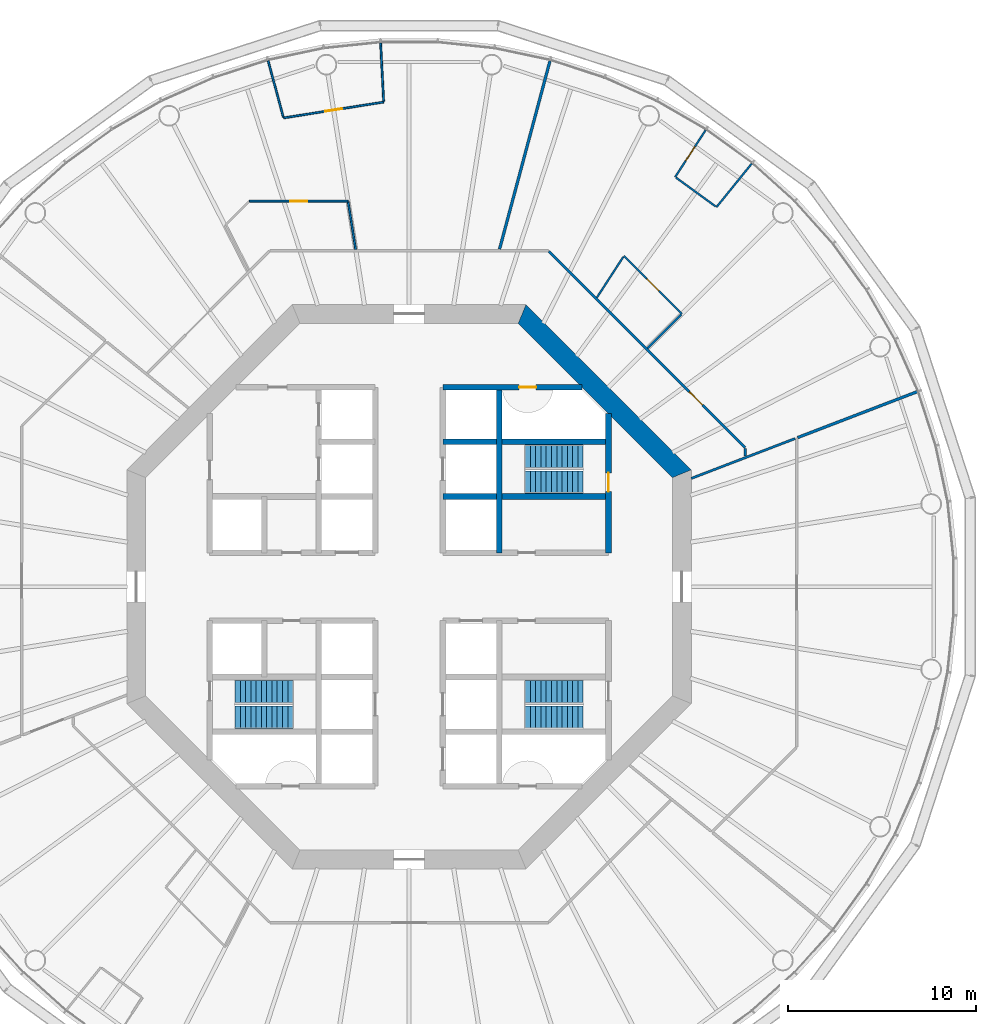
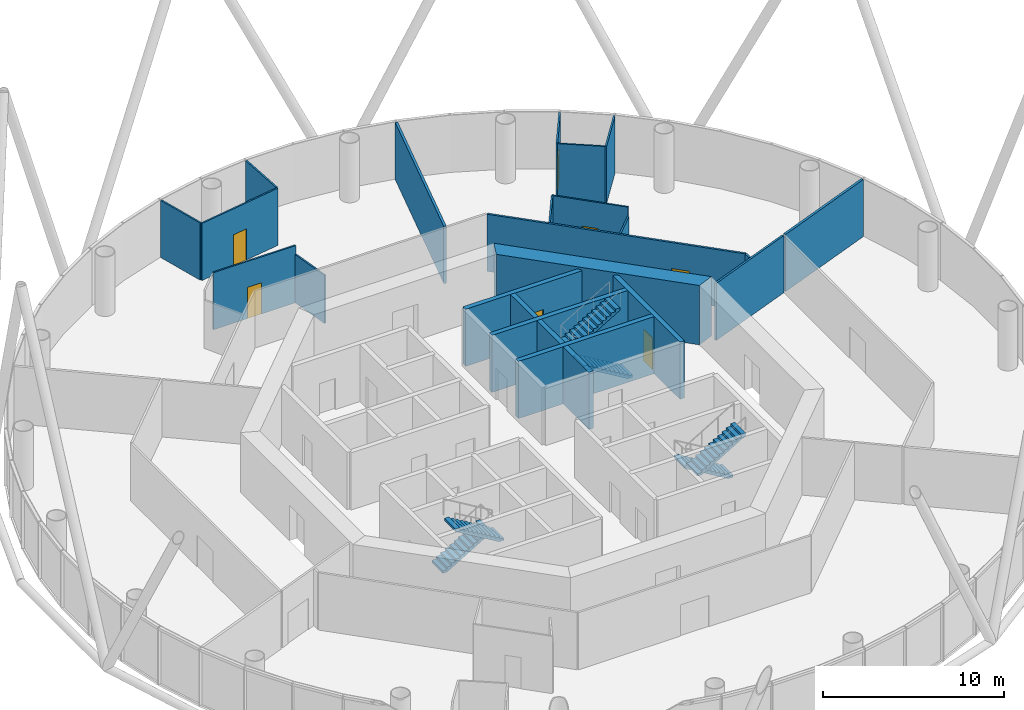
# One storey, part 5 of 12: 22 walls, 7 doors, 6 stair flights, 7 openings, 3 elements without a shape of their own.
"""IFC4 building model written with IfcOpenShell, lengths in metres."""

import ifcopenshell
import ifcopenshell.guid

model = None  # the IFC model being written
_history = None  # IfcOwnerHistory: only IFC2X3 demands one
_inside = {}  # id of a spatial element -> (the spatial element, [elements in it])
_under = {}  # id of a project, library or spatial element -> (it, [spatial elements below it])
_declared = {}  # id of a project -> (the project, [libraries it declares])
_typed = {}  # id of a type object -> (the type object, [elements of that type])
_made_of = {}  # id of a material, layer set ... -> (it, [elements and type objects made of it])


def new_model(schema):
    """Start an empty IFC model of exactly this schema.

    Asked for "IFC4X3", IfcOpenShell would pick the latest addendum, in which some entities
    have other attributes; the version numbers below select the first issue.
    IFC2X3 requires an IfcOwnerHistory on every rooted entity: one is made here for all.
    """
    global model, _history
    if schema == "IFC4X3":
        model = ifcopenshell.file(schema_version=(4, 3, 0, 0))
    else:
        model = ifcopenshell.file(schema=schema)
    _inside.clear()
    _under.clear()
    _declared.clear()
    _typed.clear()
    _made_of.clear()
    _history = None
    if model.schema == "IFC2X3":
        org = make("IfcOrganization", Name="unknown")
        user = make(
            "IfcPersonAndOrganization",
            ThePerson=make("IfcPerson", FamilyName="unknown"),
            TheOrganization=org,
        )
        app = make(
            "IfcApplication",
            ApplicationDeveloper=org,
            Version="unknown",
            ApplicationFullName="unknown",
            ApplicationIdentifier="unknown",
        )
        _history = make(
            "IfcOwnerHistory",
            OwningUser=user,
            OwningApplication=app,
            ChangeAction="ADDED",
            CreationDate=0,
        )
    return model


def make(cls, **values):
    """One entity of the class cls with the attributes given. An attribute that is None is left unset."""
    return model.create_entity(
        cls, **{name: value for name, value in values.items() if value is not None}
    )


def rooted(cls, **values):
    """An entity with a GlobalId (a new one), such as an element, a storey or a relation."""
    return make(cls, GlobalId=ifcopenshell.guid.new(), OwnerHistory=_history, **values)


def si_unit(unit_type, name, prefix=None):
    """IfcSIUnit, for example si_unit("LENGTHUNIT", "METRE", prefix="MILLI")."""
    return make("IfcSIUnit", UnitType=unit_type, Prefix=prefix, Name=name)


def assignment(units):
    """IfcUnitAssignment: the units of a project."""
    return None if units is None else make("IfcUnitAssignment", Units=units)


def point(xyz):
    """IfcCartesianPoint."""
    return None if xyz is None else make("IfcCartesianPoint", Coordinates=xyz)


def direction(xyz):
    """IfcDirection."""
    return None if xyz is None else make("IfcDirection", DirectionRatios=xyz)


def frame(location, z_axis=None, x_axis=None):
    """IfcAxis2Placement3D, a coordinate frame: its origin and axes. An axis left out is left unset."""
    return make(
        "IfcAxis2Placement3D",
        Location=point(location),
        Axis=direction(z_axis),
        RefDirection=direction(x_axis),
    )


def frame_2d(location, x_axis=None):
    """IfcAxis2Placement2D, a coordinate frame in the plane: its origin and x axis."""
    return make(
        "IfcAxis2Placement2D", Location=point(location), RefDirection=direction(x_axis)
    )


def origin():
    """The frame at (0, 0, 0) with its axes left unset."""
    return frame((0.0, 0.0, 0.0))


def place(relative_to, where):
    """IfcLocalPlacement: puts the frame where relative to a parent placement (None: the world)."""
    return make(
        "IfcLocalPlacement", PlacementRelTo=relative_to, RelativePlacement=where
    )


def context(
    kind, dimensions, precision=None, world=None, true_north=None, identifier=None
):
    """IfcGeometricRepresentationContext, for example the 3D "Model" context."""
    return make(
        "IfcGeometricRepresentationContext",
        ContextIdentifier=identifier,
        ContextType=kind,
        CoordinateSpaceDimension=dimensions,
        Precision=precision,
        WorldCoordinateSystem=world,
        TrueNorth=true_north,
    )


def subcontext(parent, identifier, kind, view, scale=None):
    """IfcGeometricRepresentationSubContext, for example "Body" below "Model"."""
    return make(
        "IfcGeometricRepresentationSubContext",
        ContextIdentifier=identifier,
        ContextType=kind,
        ParentContext=parent,
        TargetScale=scale,
        TargetView=view,
    )


def project(units=None, contexts=None):
    """IfcProject with its units and contexts."""
    return rooted(
        "IfcProject",
        Name="project",
        RepresentationContexts=contexts,
        UnitsInContext=assignment(units),
    )


def spatial(cls, under=None, at=None, **own):
    """A site, building, storey or space (cls), placed at a placement, below another one or the project."""
    s = rooted(cls, ObjectPlacement=at, **own)
    if under is not None:
        _under.setdefault(under.id(), (under, []))[1].append(s)
    return s


def polyline(points):
    """IfcPolyline through the points."""
    return make("IfcPolyline", Points=[point(p) for p in points])


def profile(cls, at=None, kind="AREA", **sizes):
    """A parametric profile (cls). Its sizes go by their IFC names, for example OverallWidth=200.0."""
    return make(cls, ProfileType=kind, Position=at, **sizes)


def rectangle(**sizes):
    """IfcRectangleProfileDef."""
    return profile("IfcRectangleProfileDef", **sizes)


def outline(outer, holes=None, kind="AREA"):
    """IfcArbitraryClosedProfileDef: a profile drawn as a closed curve; with holes, ...WithVoids."""
    if holes is None:
        return make("IfcArbitraryClosedProfileDef", ProfileType=kind, OuterCurve=outer)
    return make(
        "IfcArbitraryProfileDefWithVoids",
        ProfileType=kind,
        OuterCurve=outer,
        InnerCurves=holes,
    )


def extrude(swept, where, along, depth):
    """IfcExtrudedAreaSolid: the profile swept, set in the frame where, extruded along a direction by depth."""
    return make(
        "IfcExtrudedAreaSolid",
        SweptArea=swept,
        Position=where,
        ExtrudedDirection=direction(along),
        Depth=depth,
    )


def shape(context_of_items, identifier, shape_type, items):
    """IfcShapeRepresentation: the items that make up one representation, for example the "Body"."""
    return make(
        "IfcShapeRepresentation",
        ContextOfItems=context_of_items,
        RepresentationIdentifier=identifier,
        RepresentationType=shape_type,
        Items=items,
    )


def material(Name=None, Category=None):
    """IfcMaterial."""
    return make("IfcMaterial", Name=Name, Category=Category)


def layer(
    of_material, thickness, ventilated=None, Name=None, Category=None, Priority=None
):
    """IfcMaterialLayer: one layer of a wall or slab, of a material (None: an air gap)."""
    return make(
        "IfcMaterialLayer",
        Material=of_material,
        LayerThickness=thickness,
        IsVentilated=ventilated,
        Name=Name,
        Category=Category,
        Priority=Priority,
    )


def layer_set(layers, Name=None):
    """IfcMaterialLayerSet."""
    return make("IfcMaterialLayerSet", MaterialLayers=layers, LayerSetName=Name)


def made_of(thing, what):
    """Note that an element or type object is made of a material, layer set ...; save() writes the relation."""
    if what is not None:
        _made_of.setdefault(what.id(), (what, []))[1].append(thing)
    return thing


def type_object(cls, material=None, **own):
    """A type object (cls), such as IfcWallType, which elements share."""
    return made_of(rooted(cls, **own), material)


def element(
    cls,
    number,
    at=None,
    inside=None,
    cuts=None,
    type_object=None,
    material=None,
    context=None,
    identifier="Body",
    shape_type=None,
    held_by="IfcProductDefinitionShape",
    body=None,
    shapes=None,
    **own,
):
    """One element of the class cls, such as IfcWall. Its Tag is "e" and its number.

    at: its placement. inside: the storey or other place that contains it. cuts: it is an
    opening in that element (IfcRelVoidsElement). A single representation is given by context,
    identifier, shape_type and body (its items); several are given by shapes. held_by: the class
    of the entity that holds the representations. save() writes the other relations.
    """
    e = rooted(cls, Tag="e%d" % number, ObjectPlacement=at, **own)
    if body is not None:
        shapes = [shape(context, identifier, shape_type, body)]
    if shapes is not None:
        e.Representation = make(held_by, Representations=shapes)
    if inside is not None:
        _inside.setdefault(inside.id(), (inside, []))[1].append(e)
    if cuts is not None:
        rooted(
            "IfcRelVoidsElement", RelatingBuildingElement=cuts, RelatedOpeningElement=e
        )
    if type_object is not None:
        _typed.setdefault(type_object.id(), (type_object, []))[1].append(e)
    return made_of(e, material)


def fill(opening, filler):
    """IfcRelFillsElement: the door or window that sits in an opening."""
    return rooted(
        "IfcRelFillsElement",
        RelatingOpeningElement=opening,
        RelatedBuildingElement=filler,
    )


def aggregate(whole, parts):
    """IfcRelAggregates: a whole, such as a stair, and the parts it consists of."""
    return rooted("IfcRelAggregates", RelatingObject=whole, RelatedObjects=parts)


def save(model, path):
    """Write the relations noted so far, then the file.

    IfcRelAggregates (storeys below a building ...), IfcRelContainedInSpatialStructure (elements
    in a storey), IfcRelDefinesByType, IfcRelAssociatesMaterial and IfcRelDeclares: one each for
    every whole, place, type object, material and project.
    """
    for whole, parts in _under.values():
        aggregate(whole, parts)
    for where, things in _inside.values():
        rooted(
            "IfcRelContainedInSpatialStructure",
            RelatedElements=things,
            RelatingStructure=where,
        )
    for kind, things in _typed.values():
        rooted("IfcRelDefinesByType", RelatedObjects=things, RelatingType=kind)
    for what, things in _made_of.values():
        rooted("IfcRelAssociatesMaterial", RelatedObjects=things, RelatingMaterial=what)
    for by, libraries in _declared.values():
        rooted("IfcRelDeclares", RelatingContext=by, RelatedDefinitions=libraries)
    model.write(path)


model = new_model("IFC4")

# Units and contexts
model_context = context("Model", 3, precision=1e-05, world=origin(), true_north=direction((0.0, 1.0)))
body_context = subcontext(model_context, "Body", "Model", "MODEL_VIEW")
ifc_project = project(units=[si_unit("LENGTHUNIT", "METRE"), si_unit("AREAUNIT", "SQUARE_METRE"), si_unit("VOLUMEUNIT", "CUBIC_METRE"), si_unit("PLANEANGLEUNIT", "RADIAN"), si_unit("MASSUNIT", "GRAM", prefix="KILO")], contexts=[model_context])

# Site, building, storey
site_placement = place(None, origin())
site = spatial("IfcSite", under=ifc_project, at=site_placement, CompositionType="ELEMENT")
building_placement = place(site_placement, origin())
building = spatial("IfcBuilding", under=site, at=building_placement, Name="Entoto Ring Tower", CompositionType="ELEMENT")
storey_placement = place(building_placement, frame((0.0, 0.0, 144.0)))
storey = spatial("IfcBuildingStorey", under=building, at=storey_placement, Name="L32", CompositionType="ELEMENT", Elevation=144.0)

# Wall, opening, door
ifc_material_1 = material(Name="Concrete C40/50", Category="concrete")
ifc_layer_1 = layer(ifc_material_1, 0.300048828125)
ifc_layer_set_1 = layer_set([ifc_layer_1], Name="Concrete C40/50")
wall_type_1 = type_object("IfcWallType", Name="Core enclosure wall 300 mm reinforced concrete", PredefinedType="SOLIDWALL", material=ifc_layer_set_1)
wall_1_placement = place(storey_placement, frame((100.60009765625, 81.800048828125, 0.0), z_axis=(0.0, 0.0, 1.0), x_axis=(0.0, 1.0, 0.0)))
wall_1 = element("IfcWall", 1, at=wall_1_placement, inside=storey, type_object=wall_type_1, Name="wall-L32-002", PredefinedType="SOLIDWALL", context=body_context, shape_type="SweptSolid", body=[
    extrude(rectangle(XDim=7.39892578125, YDim=0.300048828125, at=frame_2d((3.699462890625, 0.0))), origin(), (0.0, 0.0, 1.0), 3.85009765625),
])
opening_1_placement = place(wall_1_placement, frame((3.25, 0.0, 0.0)))
opening_1 = element("IfcOpeningElement", 2, at=opening_1_placement, cuts=wall_1, Name="Opening K-52", PredefinedType="OPENING", context=body_context, shape_type="SweptSolid", body=[
    extrude(rectangle(XDim=1.0, YDim=2.10009765625, at=frame_2d((0.5, 1.050048828125))), frame((0.0, 0.16015625, 0.0), z_axis=(0.0, -1.0, 0.0), x_axis=(1.0, 0.0, 0.0)), (0.0, 0.0, 1.0), 0.320068359375),
])
ifc_material_2 = material(Name="Steel door leaf, fire rated", Category="steel")
ifc_layer_2 = layer(ifc_material_2, 0.050048828125)
ifc_layer_set_2 = layer_set([ifc_layer_2], Name="Steel door leaf, fire rated")
door_type_1 = type_object("IfcDoorType", Name="Fire door FD60 1000 x 2100 single leaf", OperationType="NOTDEFINED", PredefinedType="DOOR", material=ifc_layer_set_2)
door_1_placement = place(opening_1_placement, origin())
door_1 = element("IfcDoor", 3, at=door_1_placement, inside=storey, type_object=door_type_1, Name="Door K-52", OperationType="SINGLE_SWING_LEFT", OverallHeight=2.10009765625, OverallWidth=1.0, PredefinedType="DOOR", context=body_context, shape_type="SweptSolid", body=[
    extrude(rectangle(XDim=1.0, YDim=2.10009765625, at=frame_2d((0.5, 1.050048828125))), frame((0.0, 0.02490234375, 0.0), z_axis=(0.0, -1.0, 0.0), x_axis=(1.0, 0.0, 0.0)), (0.0, 0.0, 1.0), 0.050048828125),
])
fill(opening_1, door_1)

# Walls
for number, where, z_axis, x_axis, name in (
    (4, (94.800048828125, 81.800048828125, 0.0), (0.0, 0.0, 1.0), (0.0, 1.0, 0.0), "wall-L32-004"),
    (5, (91.800048828125, 84.800048828125, 0.0), (0.0, 0.0, 1.0), (1.0, 0.0, 0.0), "wall-L32-026"),
    (6, (91.800048828125, 87.699951171875, 0.0), (0.0, 0.0, 1.0), (1.0, 0.0, 0.0), "wall-L32-028"),
):
    element("IfcWall", number, at=place(storey_placement, frame(where, z_axis=z_axis, x_axis=x_axis)), inside=storey, type_object=wall_type_1, Name=name, PredefinedType="SOLIDWALL", context=body_context, shape_type="SweptSolid", body=[
        extrude(rectangle(XDim=8.800048828125, YDim=0.300048828125, at=frame_2d((4.39990234375, 0.0))), origin(), (0.0, 0.0, 1.0), 3.85009765625),
    ])

# Wall, opening, door
wall_2_placement = place(storey_placement, frame((91.800048828125, 90.60009765625, 0.0), z_axis=(0.0, 0.0, 1.0), x_axis=(1.0, 0.0, 0.0)))
wall_2 = element("IfcWall", 7, at=wall_2_placement, inside=storey, type_object=wall_type_1, Name="wall-L32-030", PredefinedType="SOLIDWALL", context=body_context, shape_type="SweptSolid", body=[
    extrude(rectangle(XDim=7.39892578125, YDim=0.300048828125, at=frame_2d((3.699462890625, 0.0))), origin(), (0.0, 0.0, 1.0), 3.85009765625),
])
opening_2_placement = place(wall_2_placement, frame((4.050048828125, 0.0, 0.0)))
opening_2 = element("IfcOpeningElement", 8, at=opening_2_placement, cuts=wall_2, Name="Opening K-60", PredefinedType="OPENING", context=body_context, shape_type="SweptSolid", body=[
    extrude(rectangle(XDim=0.89990234375, YDim=2.10009765625, at=frame_2d((0.449951171875, 1.050048828125))), frame((0.0, 0.16015625, 0.0), z_axis=(0.0, -1.0, 0.0), x_axis=(1.0, 0.0, 0.0)), (0.0, 0.0, 1.0), 0.320068359375),
])
ifc_material_3 = material(Name="Steel door leaf, fire rated", Category="steel")
ifc_layer_3 = layer(ifc_material_3, 0.050048828125)
ifc_layer_set_3 = layer_set([ifc_layer_3], Name="Steel door leaf, fire rated")
door_type_2 = type_object("IfcDoorType", Name="Riser door FD60 900 x 2100 single leaf", OperationType="NOTDEFINED", PredefinedType="DOOR", material=ifc_layer_set_3)
door_2_placement = place(opening_2_placement, frame((0.89990234375, 0.0, 0.0), z_axis=(0.0, 0.0, 1.0), x_axis=(-1.0, 0.0, 0.0)))
door_2 = element("IfcDoor", 9, at=door_2_placement, inside=storey, type_object=door_type_2, Name="Door K-60", OperationType="SINGLE_SWING_RIGHT", OverallHeight=2.10009765625, OverallWidth=0.89990234375, PredefinedType="DOOR", context=body_context, shape_type="SweptSolid", body=[
    extrude(rectangle(XDim=0.89990234375, YDim=2.10009765625, at=frame_2d((0.449951171875, 1.050048828125))), frame((0.0, 0.02490234375, 0.0), z_axis=(0.0, -1.0, 0.0), x_axis=(1.0, 0.0, 0.0)), (0.0, 0.0, 1.0), 0.050048828125),
])
fill(opening_2, door_2)

# Wall
ifc_material_4 = material(Name="Concrete C50/60", Category="concrete")
ifc_layer_4 = layer(ifc_material_4, 1.0)
ifc_layer_set_4 = layer_set([ifc_layer_4], Name="Concrete C50/60")
wall_type_2 = type_object("IfcWallType", Name="Core shear wall 1000 mm reinforced concrete C50/60", PredefinedType="SHEAR", material=ifc_layer_set_4)
wall_3_placement = place(storey_placement, frame((104.5, 86.006103515625, 0.0), z_axis=(0.0, 0.0, 1.0), x_axis=(-0.707106781187, 0.707106781187, 0.0)))
element("IfcWall", 10, at=wall_3_placement, inside=storey, type_object=wall_type_2, Name="wall-L32-core-1", PredefinedType="SHEAR", context=body_context, shape_type="SweptSolid", body=[
    extrude(outline(polyline([(-0.20703125, -0.5), (12.21923828125, -0.5), (11.80517578125, 0.5), (0.20703125, 0.5), (-0.20703125, -0.5)])), origin(), (0.0, 0.0, 1.0), 4.0),
])

# Wall, opening, door
ifc_material_5 = material(Name="Fire-resisting plasterboard on steel studs", Category="steel")
ifc_layer_5 = layer(ifc_material_5, 0.125)
ifc_layer_set_5 = layer_set([ifc_layer_5], Name="Fire-resisting plasterboard on steel studs")
wall_type_3 = type_object("IfcWallType", Name="Corridor wall 125 mm one-hour plasterboard on steel studs", PredefinedType="PARTITIONING", material=ifc_layer_set_5)
wall_4_placement = place(storey_placement, frame((107.862548828125, 87.39892578125, 0.0), z_axis=(0.0, 0.0, 1.0), x_axis=(-0.707115054973, 0.707098507303, 0.0)))
wall_4 = element("IfcWall", 11, at=wall_4_placement, inside=storey, type_object=wall_type_3, Name="partition-L32-006", PredefinedType="PARTITIONING", context=body_context, shape_type="SweptSolid", body=[
    extrude(rectangle(XDim=14.753662109375, YDim=0.125, at=frame_2d((7.376953125, 0.0))), origin(), (0.0, 0.0, 1.0), 3.85009765625),
])
opening_3_placement = place(wall_4_placement, frame((3.199462890625, 0.0, 0.0)))
opening_3 = element("IfcOpeningElement", 12, at=opening_3_placement, cuts=wall_4, Name="Opening A15-D03", PredefinedType="OPENING", context=body_context, shape_type="SweptSolid", body=[
    extrude(rectangle(XDim=1.0, YDim=2.10009765625, at=frame_2d((0.5, 1.050048828125))), frame((0.0, 0.072509765625, 0.0), z_axis=(0.0, -1.0, 0.0), x_axis=(1.0, 0.0, 0.0)), (0.0, 0.0, 1.0), 0.14501953125),
])
ifc_material_6 = material(Name="Fire-resisting timber door set", Category="wood")
door_type_3 = type_object("IfcDoorType", Name="Door 1000 x 2100 single leaf FD30S fire door", OperationType="NOTDEFINED", PredefinedType="DOOR", material=ifc_material_6)
door_3_placement = place(opening_3_placement, frame((1.0, 0.0, 0.0), z_axis=(0.0, 0.0, 1.0), x_axis=(-1.0, 0.0, 0.0)))
door_3 = element("IfcDoor", 13, at=door_3_placement, inside=storey, type_object=door_type_3, Name="Door A15-D03", OperationType="SINGLE_SWING_LEFT", OverallHeight=2.10009765625, OverallWidth=1.0, PredefinedType="DOOR", context=body_context, shape_type="SweptSolid", body=[
    extrude(rectangle(XDim=1.0, YDim=2.10009765625, at=frame_2d((0.5, 1.050048828125))), frame((0.0, 0.02490234375, 0.0), z_axis=(0.0, -1.0, 0.0), x_axis=(1.0, 0.0, 0.0)), (0.0, 0.0, 1.0), 0.050048828125),
])
fill(opening_3, door_3)

# Walls
wall_5_placement = place(storey_placement, frame((105.0, 85.758056640625, 0.0), z_axis=(0.0, 0.0, 1.0), x_axis=(0.933592488158, 0.358336526264, 0.0)))
element("IfcWall", 14, at=wall_5_placement, inside=storey, type_object=wall_type_3, Name="partition-L32-012", PredefinedType="PARTITIONING", context=body_context, shape_type="SweptSolid", body=[
    extrude(rectangle(XDim=5.90771484375, YDim=0.125, at=frame_2d((2.953857421875, 0.0))), origin(), (0.0, 0.0, 1.0), 3.85009765625),
])
wall_6_placement = place(storey_placement, frame((107.862548828125, 86.947509765625, 0.0), z_axis=(0.0, 0.0, 1.0), x_axis=(0.0, 1.0, 0.0)))
element("IfcWall", 15, at=wall_6_placement, inside=storey, type_object=wall_type_3, Name="partition-L32-016", PredefinedType="PARTITIONING", context=body_context, shape_type="SweptSolid", body=[
    extrude(rectangle(XDim=0.407470703125, YDim=0.125, at=frame_2d((0.20361328125, 0.0))), origin(), (0.0, 0.0, 1.0), 3.85009765625),
])

# Wall, opening, door
ifc_material_7 = material(Name="Plasterboard on steel studs", Category="steel")
ifc_layer_6 = layer(ifc_material_7, 0.10009765625)
ifc_layer_set_6 = layer_set([ifc_layer_6], Name="Plasterboard on steel studs")
wall_type_4 = type_object("IfcWallType", Name="Partition 100 mm plasterboard on steel studs", PredefinedType="PARTITIONING", material=ifc_layer_set_6)
wall_7_placement = place(storey_placement, frame((83.322509765625, 104.9208984375, 0.0), z_axis=(0.0, 0.0, 1.0), x_axis=(0.987687980324, 0.156436739688, 0.0)))
wall_7 = element("IfcWall", 16, at=wall_7_placement, inside=storey, type_object=wall_type_4, Name="partition-L32-022", PredefinedType="PARTITIONING", context=body_context, shape_type="SweptSolid", body=[
    extrude(rectangle(XDim=5.3935546875, YDim=0.10009765625, at=frame_2d((2.69677734375, 0.0))), origin(), (0.0, 0.0, 1.0), 3.85009765625),
])
opening_4_placement = place(wall_7_placement, frame((2.246826171875, 0.0, 0.0)))
opening_4 = element("IfcOpeningElement", 17, at=opening_4_placement, cuts=wall_7, Name="Opening A15-D08", PredefinedType="OPENING", context=body_context, shape_type="SweptSolid", body=[
    extrude(rectangle(XDim=0.89990234375, YDim=2.10009765625, at=frame_2d((0.449951171875, 1.050048828125))), frame((0.0, 0.06005859375, 0.0), z_axis=(0.0, -1.0, 0.0), x_axis=(1.0, 0.0, 0.0)), (0.0, 0.0, 1.0), 0.1201171875),
])
ifc_material_8 = material(Name="Veneered timber door leaf in timber frame", Category="wood")
door_type_4 = type_object("IfcDoorType", Name="Door 900 x 2100 single leaf timber veneer", OperationType="NOTDEFINED", PredefinedType="DOOR", material=ifc_material_8)
door_4_placement = place(opening_4_placement, origin())
door_4 = element("IfcDoor", 18, at=door_4_placement, inside=storey, type_object=door_type_4, Name="Door A15-D08", OperationType="SINGLE_SWING_RIGHT", OverallHeight=2.10009765625, OverallWidth=0.89990234375, PredefinedType="DOOR", context=body_context, shape_type="SweptSolid", body=[
    extrude(rectangle(XDim=0.89990234375, YDim=2.10009765625, at=frame_2d((0.449951171875, 1.050048828125))), frame((0.0, 0.02490234375, 0.0), z_axis=(0.0, -1.0, 0.0), x_axis=(1.0, 0.0, 0.0)), (0.0, 0.0, 1.0), 0.050048828125),
])
fill(opening_4, door_4)

wall_8_placement = place(storey_placement, frame((81.507568359375, 100.50244140625, 0.0), z_axis=(0.0, 0.0, 1.0), x_axis=(1.0, 0.0, 0.0)))
wall_8 = element("IfcWall", 19, at=wall_8_placement, inside=storey, type_object=wall_type_4, Name="partition-L32-023", PredefinedType="PARTITIONING", context=body_context, shape_type="SweptSolid", body=[
    extrude(rectangle(XDim=5.2451171875, YDim=0.10009765625, at=frame_2d((2.62255859375, 0.0))), origin(), (0.0, 0.0, 1.0), 3.85009765625),
])
opening_5_placement = place(wall_8_placement, frame((2.172607421875, 0.0, 0.0)))
opening_5 = element("IfcOpeningElement", 20, at=opening_5_placement, cuts=wall_8, Name="Opening A15-D07", PredefinedType="OPENING", context=body_context, shape_type="SweptSolid", body=[
    extrude(rectangle(XDim=0.89990234375, YDim=2.10009765625, at=frame_2d((0.449951171875, 1.050048828125))), frame((0.0, 0.06005859375, 0.0), z_axis=(0.0, -1.0, 0.0), x_axis=(1.0, 0.0, 0.0)), (0.0, 0.0, 1.0), 0.1201171875),
])
door_5_placement = place(opening_5_placement, frame((0.89990234375, 0.0, 0.0), z_axis=(0.0, 0.0, 1.0), x_axis=(-1.0, 0.0, 0.0)))
door_5 = element("IfcDoor", 21, at=door_5_placement, inside=storey, type_object=door_type_4, Name="Door A15-D07", OperationType="SINGLE_SWING_LEFT", OverallHeight=2.10009765625, OverallWidth=0.89990234375, PredefinedType="DOOR", context=body_context, shape_type="SweptSolid", body=[
    extrude(rectangle(XDim=0.89990234375, YDim=2.10009765625, at=frame_2d((0.449951171875, 1.050048828125))), frame((0.0, 0.02490234375, 0.0), z_axis=(0.0, -1.0, 0.0), x_axis=(1.0, 0.0, 0.0)), (0.0, 0.0, 1.0), 0.050048828125),
])
fill(opening_5, door_5)

wall_9_placement = place(storey_placement, frame((104.50439453125, 94.50439453125, 0.0), z_axis=(0.0, 0.0, 1.0), x_axis=(-0.707078784165, 0.7071347771, 0.0)))
wall_9 = element("IfcWall", 22, at=wall_9_placement, inside=storey, type_object=wall_type_4, Name="partition-L32-025", PredefinedType="PARTITIONING", context=body_context, shape_type="SweptSolid", body=[
    extrude(rectangle(XDim=4.360107421875, YDim=0.10009765625, at=frame_2d((2.18017578125, 0.0))), origin(), (0.0, 0.0, 1.0), 3.85009765625),
])
opening_6_placement = place(wall_9_placement, frame((1.72998046875, 0.0, 0.0)))
opening_6 = element("IfcOpeningElement", 23, at=opening_6_placement, cuts=wall_9, Name="Opening A15-D04", PredefinedType="OPENING", context=body_context, shape_type="SweptSolid", body=[
    extrude(rectangle(XDim=0.89990234375, YDim=2.10009765625, at=frame_2d((0.449951171875, 1.050048828125))), frame((0.0, 0.06005859375, 0.0), z_axis=(0.0, -1.0, 0.0), x_axis=(1.0, 0.0, 0.0)), (0.0, 0.0, 1.0), 0.1201171875),
])
door_6_placement = place(opening_6_placement, origin())
door_6 = element("IfcDoor", 24, at=door_6_placement, inside=storey, type_object=door_type_4, Name="Door A15-D04", OperationType="SINGLE_SWING_RIGHT", OverallHeight=2.10009765625, OverallWidth=0.89990234375, PredefinedType="DOOR", context=body_context, shape_type="SweptSolid", body=[
    extrude(rectangle(XDim=0.89990234375, YDim=2.10009765625, at=frame_2d((0.449951171875, 1.050048828125))), frame((0.0, 0.02490234375, 0.0), z_axis=(0.0, -1.0, 0.0), x_axis=(1.0, 0.0, 0.0)), (0.0, 0.0, 1.0), 0.050048828125),
])
fill(opening_6, door_6)

# Walls
wall_10_placement = place(storey_placement, frame((88.647216796875, 105.814208984375, 0.0), z_axis=(0.0, 0.0, 1.0), x_axis=(-0.052376392373, 0.998627414766, 0.0)))
element("IfcWall", 25, at=wall_10_placement, inside=storey, type_object=wall_type_4, Name="partition-L32-026", PredefinedType="PARTITIONING", context=body_context, shape_type="SweptSolid", body=[
    extrude(rectangle(XDim=3.09033203125, YDim=0.10009765625, at=frame_2d((1.545166015625, 0.0))), origin(), (0.0, 0.0, 1.0), 3.85009765625),
])
wall_11_placement = place(storey_placement, frame((83.3095703125, 104.968994140625, 0.0), z_axis=(0.0, 0.0, 1.0), x_axis=(-0.258822964688, 0.965924776031, 0.0)))
element("IfcWall", 26, at=wall_11_placement, inside=storey, type_object=wall_type_4, Name="partition-L32-027", PredefinedType="PARTITIONING", context=body_context, shape_type="SweptSolid", body=[
    extrude(rectangle(XDim=3.090087890625, YDim=0.10009765625, at=frame_2d((1.544921875, 0.0))), origin(), (0.0, 0.0, 1.0), 3.85009765625),
])

# Wall, opening, door
wall_12_placement = place(storey_placement, frame((104.144287109375, 101.7802734375, 0.0), z_axis=(0.0, 0.0, 1.0), x_axis=(0.544682036648, 0.838642640791, 0.0)))
wall_12 = element("IfcWall", 27, at=wall_12_placement, inside=storey, type_object=wall_type_4, Name="partition-L32-028", PredefinedType="PARTITIONING", context=body_context, shape_type="SweptSolid", body=[
    extrude(rectangle(XDim=2.969970703125, YDim=0.10009765625, at=frame_2d((1.48486328125, 0.0))), origin(), (0.0, 0.0, 1.0), 3.85009765625),
])
opening_7_placement = place(wall_12_placement, frame((1.034912109375, 0.0, 0.0)))
opening_7 = element("IfcOpeningElement", 28, at=opening_7_placement, cuts=wall_12, Name="Opening A15-D05", PredefinedType="OPENING", context=body_context, shape_type="SweptSolid", body=[
    extrude(rectangle(XDim=0.89990234375, YDim=2.10009765625, at=frame_2d((0.449951171875, 1.050048828125))), frame((0.0, 0.06005859375, 0.0), z_axis=(0.0, -1.0, 0.0), x_axis=(1.0, 0.0, 0.0)), (0.0, 0.0, 1.0), 0.1201171875),
])
door_7_placement = place(opening_7_placement, frame((0.89990234375, 0.0, 0.0), z_axis=(0.0, 0.0, 1.0), x_axis=(-1.0, 0.0, 0.0)))
door_7 = element("IfcDoor", 29, at=door_7_placement, inside=storey, type_object=door_type_4, Name="Door A15-D05", OperationType="SINGLE_SWING_LEFT", OverallHeight=2.10009765625, OverallWidth=0.89990234375, PredefinedType="DOOR", context=body_context, shape_type="SweptSolid", body=[
    extrude(rectangle(XDim=0.89990234375, YDim=2.10009765625, at=frame_2d((0.449951171875, 1.050048828125))), frame((0.0, 0.02490234375, 0.0), z_axis=(0.0, -1.0, 0.0), x_axis=(1.0, 0.0, 0.0)), (0.0, 0.0, 1.0), 0.050048828125),
])
fill(opening_7, door_7)

# Walls
wall_13_placement = place(storey_placement, frame((106.343505859375, 100.1826171875, 0.0), z_axis=(0.0, 0.0, 1.0), x_axis=(0.629325928916, 0.777141476949, 0.0)))
element("IfcWall", 30, at=wall_13_placement, inside=storey, type_object=wall_type_4, Name="partition-L32-029", PredefinedType="PARTITIONING", context=body_context, shape_type="SweptSolid", body=[
    extrude(rectangle(XDim=2.9697265625, YDim=0.10009765625, at=frame_2d((1.48486328125, 0.0))), origin(), (0.0, 0.0, 1.0), 3.85009765625),
])
wall_14_placement = place(storey_placement, frame((106.302978515625, 100.2119140625, 0.0), z_axis=(0.0, 0.0, 1.0), x_axis=(-0.808994068442, 0.587816805839, 0.0)))
element("IfcWall", 31, at=wall_14_placement, inside=storey, type_object=wall_type_4, Name="partition-L32-034", PredefinedType="PARTITIONING", context=body_context, shape_type="SweptSolid", body=[
    extrude(rectangle(XDim=2.6181640625, YDim=0.10009765625, at=frame_2d((1.30908203125, 0.0))), origin(), (0.0, 0.0, 1.0), 3.85009765625),
])
wall_15_placement = place(storey_placement, frame((99.986572265625, 95.377685546875, 0.0), z_axis=(0.0, 0.0, 1.0), x_axis=(0.544588108652, 0.838703637714, 0.0)))
element("IfcWall", 32, at=wall_15_placement, inside=storey, type_object=wall_type_4, Name="partition-L32-036", PredefinedType="PARTITIONING", context=body_context, shape_type="SweptSolid", body=[
    extrude(rectangle(XDim=2.5732421875, YDim=0.10009765625, at=frame_2d((1.28662109375, 0.0))), origin(), (0.0, 0.0, 1.0), 3.85009765625),
])
ifc_material_9 = material(Name="Plasterboard on steel studs", Category="steel")
ifc_layer_7 = layer(ifc_material_9, 0.10009765625)
ifc_layer_set_7 = layer_set([ifc_layer_7], Name="Plasterboard on steel studs")
wall_type_5 = type_object("IfcWallType", Name="Partition 100 mm plasterboard on steel studs, 3250 mm high", PredefinedType="PARTITIONING", material=ifc_layer_set_7)
wall_16_placement = place(storey_placement, frame((87.15966796875, 97.9326171875, 0.0), z_axis=(0.0, 0.0, 1.0), x_axis=(-0.156375114101, 0.987697739033, 0.0)))
element("IfcWall", 33, at=wall_16_placement, inside=storey, type_object=wall_type_5, Name="partition-L32-037", PredefinedType="PARTITIONING", context=body_context, shape_type="SweptSolid", body=[
    extrude(rectangle(XDim=2.552734375, YDim=0.10009765625, at=frame_2d((1.2763671875, 0.0))), origin(), (0.0, 0.0, 1.0), 3.25),
])
wall_17_placement = place(storey_placement, frame((102.675048828125, 92.675048828125, 0.0), z_axis=(0.0, 0.0, 1.0), x_axis=(0.707106781187, 0.707106781187, 0.0)))
element("IfcWall", 34, at=wall_17_placement, inside=storey, type_object=wall_type_5, Name="partition-L32-038", PredefinedType="PARTITIONING", context=body_context, shape_type="SweptSolid", body=[
    extrude(rectangle(XDim=2.537109375, YDim=0.10009765625, at=frame_2d((1.2685546875, 0.0))), origin(), (0.0, 0.0, 1.0), 3.25),
])
ifc_material_10 = material(Name="Fire-resisting acoustic plasterboard on steel studs", Category="steel")
ifc_layer_8 = layer(ifc_material_10, 0.14990234375)
ifc_layer_set_8 = layer_set([ifc_layer_8], Name="Fire-resisting acoustic plasterboard on steel studs")
wall_type_6 = type_object("IfcWallType", Name="Party wall 150 mm one-hour acoustic plasterboard on steel studs", PredefinedType="PARTITIONING", material=ifc_layer_set_8)
wall_18_placement = place(storey_placement, frame((94.80810546875, 97.9443359375, 0.0), z_axis=(0.0, 0.0, 1.0), x_axis=(0.258826761906, 0.965923758545, 0.0)))
element("IfcWall", 35, at=wall_18_placement, inside=storey, type_object=wall_type_6, Name="partition-L32-017", PredefinedType="PARTITIONING", context=body_context, shape_type="SweptSolid", body=[
    extrude(rectangle(XDim=10.362548828125, YDim=0.14990234375, at=frame_2d((5.18115234375, 0.0))), origin(), (0.0, 0.0, 1.0), 3.85009765625),
])
wall_19_placement = place(storey_placement, frame((110.654296875, 87.928466796875, 0.0), z_axis=(0.0, 0.0, 1.0), x_axis=(0.933585412346, 0.358354960695, 0.0)))
element("IfcWall", 36, at=wall_19_placement, inside=storey, type_object=wall_type_6, Name="partition-L32-021", PredefinedType="PARTITIONING", context=body_context, shape_type="SweptSolid", body=[
    extrude(rectangle(XDim=6.816162109375, YDim=0.14990234375, at=frame_2d((3.408203125, 0.0))), origin(), (0.0, 0.0, 1.0), 3.85009765625),
])

# Stair, stair flights
ifc_material_11 = material(Name="Concrete C40/50", Category="concrete")
stair_type = type_object("IfcStairType", Name="Exit stair 1200 mm dog-leg reinforced concrete", PredefinedType="HALF_TURN_STAIR", material=ifc_material_11)
stair_1_placement = place(storey_placement, origin())
stair_1 = element("IfcStair", 37, at=stair_1_placement, inside=storey, type_object=stair_type, Name="Exit stair 1", PredefinedType="HALF_TURN_STAIR")
ifc_material_12 = material(Name="Concrete C40/50", Category="concrete")
stair_flight_type = type_object("IfcStairFlightType", Name="Stair flight 1200 mm reinforced concrete", PredefinedType="STRAIGHT", material=ifc_material_12)
stair_flight_1_placement = place(storey_placement, frame((99.25, 85.550048828125, 0.0), z_axis=(0.0, 0.0, 1.0), x_axis=(-1.0, 0.0, 0.0)))
stair_flight_1 = element("IfcStairFlight", 38, at=stair_flight_1_placement, type_object=stair_flight_type, Name="ST1 flight 1", NumberOfRisers=12, NumberOfTreads=11, PredefinedType="STRAIGHT", RiserHeight=0.166666667, TreadLength=0.28, context=body_context, shape_type="SweptSolid", body=[
    extrude(outline(polyline([(0.0, 0.0), (0.0, 0.166748046875), (0.280029296875, 0.166748046875), (0.280029296875, 0.333251953125), (0.56005859375, 0.333251953125), (0.56005859375, 0.5), (0.840087890625, 0.5), (0.840087890625, 0.666748046875), (1.1201171875, 0.666748046875), (1.1201171875, 0.833251953125), (1.39990234375, 0.833251953125), (1.39990234375, 1.0), (1.679931640625, 1.0), (1.679931640625, 1.166748046875), (1.9599609375, 1.166748046875), (1.9599609375, 1.333251953125), (2.239990234375, 1.333251953125), (2.239990234375, 1.5), (2.52001953125, 1.5), (2.52001953125, 1.666748046875), (2.800048828125, 1.666748046875), (2.800048828125, 1.833251953125), (3.080078125, 1.833251953125), (3.080078125, 2.0), (3.080078125, 1.658935546875), (0.29296875, 0.0), (0.0, 0.0)])), frame((0.0, 0.60009765625, 0.0), z_axis=(0.0, -1.0, 0.0), x_axis=(1.0, 0.0, 0.0)), (0.0, 0.0, 1.0), 1.199951171875),
])
stair_flight_2_placement = place(storey_placement, frame((96.169921875, 86.949951171875, 2.0), z_axis=(0.0, 0.0, 1.0), x_axis=(1.0, 0.0, 0.0)))
stair_flight_2 = element("IfcStairFlight", 39, at=stair_flight_2_placement, type_object=stair_flight_type, Name="ST1 flight 2", NumberOfRisers=12, NumberOfTreads=11, PredefinedType="STRAIGHT", RiserHeight=0.166666667, TreadLength=0.28, context=body_context, shape_type="SweptSolid", body=[
    extrude(outline(polyline([(0.0, 0.0), (0.0, 0.166748046875), (0.280029296875, 0.166748046875), (0.280029296875, 0.333251953125), (0.56005859375, 0.333251953125), (0.56005859375, 0.5), (0.840087890625, 0.5), (0.840087890625, 0.666748046875), (1.1201171875, 0.666748046875), (1.1201171875, 0.833251953125), (1.39990234375, 0.833251953125), (1.39990234375, 1.0), (1.679931640625, 1.0), (1.679931640625, 1.166748046875), (1.9599609375, 1.166748046875), (1.9599609375, 1.333251953125), (2.239990234375, 1.333251953125), (2.239990234375, 1.5), (2.52001953125, 1.5), (2.52001953125, 1.666748046875), (2.800048828125, 1.666748046875), (2.800048828125, 1.833251953125), (3.080078125, 1.833251953125), (3.080078125, 2.0), (3.080078125, 1.658935546875), (0.29296875, 0.0), (0.0, 0.0)])), frame((0.0, 0.60009765625, 0.0), z_axis=(0.0, -1.0, 0.0), x_axis=(1.0, 0.0, 0.0)), (0.0, 0.0, 1.0), 1.199951171875),
])
aggregate(stair_1, [stair_flight_1, stair_flight_2])

stair_2_placement = place(storey_placement, origin())
stair_2 = element("IfcStair", 40, at=stair_2_placement, inside=storey, type_object=stair_type, Name="Exit stair 2", PredefinedType="HALF_TURN_STAIR")
stair_flight_3_placement = place(storey_placement, frame((80.75, 74.449951171875, 0.0), z_axis=(0.0, 0.0, 1.0), x_axis=(1.0, 0.0, 0.0)))
stair_flight_3 = element("IfcStairFlight", 41, at=stair_flight_3_placement, type_object=stair_flight_type, Name="ST2 flight 1", NumberOfRisers=12, NumberOfTreads=11, PredefinedType="STRAIGHT", RiserHeight=0.166666667, TreadLength=0.28, context=body_context, shape_type="SweptSolid", body=[
    extrude(outline(polyline([(0.0, 0.0), (0.0, 0.166748046875), (0.280029296875, 0.166748046875), (0.280029296875, 0.333251953125), (0.56005859375, 0.333251953125), (0.56005859375, 0.5), (0.840087890625, 0.5), (0.840087890625, 0.666748046875), (1.1201171875, 0.666748046875), (1.1201171875, 0.833251953125), (1.39990234375, 0.833251953125), (1.39990234375, 1.0), (1.679931640625, 1.0), (1.679931640625, 1.166748046875), (1.9599609375, 1.166748046875), (1.9599609375, 1.333251953125), (2.239990234375, 1.333251953125), (2.239990234375, 1.5), (2.52001953125, 1.5), (2.52001953125, 1.666748046875), (2.800048828125, 1.666748046875), (2.800048828125, 1.833251953125), (3.080078125, 1.833251953125), (3.080078125, 2.0), (3.080078125, 1.658935546875), (0.29296875, 0.0), (0.0, 0.0)])), frame((0.0, 0.60009765625, 0.0), z_axis=(0.0, -1.0, 0.0), x_axis=(1.0, 0.0, 0.0)), (0.0, 0.0, 1.0), 1.199951171875),
])
stair_flight_4_placement = place(storey_placement, frame((83.830078125, 73.050048828125, 2.0), z_axis=(0.0, 0.0, 1.0), x_axis=(-1.0, 0.0, 0.0)))
stair_flight_4 = element("IfcStairFlight", 42, at=stair_flight_4_placement, type_object=stair_flight_type, Name="ST2 flight 2", NumberOfRisers=12, NumberOfTreads=11, PredefinedType="STRAIGHT", RiserHeight=0.166666667, TreadLength=0.28, context=body_context, shape_type="SweptSolid", body=[
    extrude(outline(polyline([(0.0, 0.0), (0.0, 0.166748046875), (0.280029296875, 0.166748046875), (0.280029296875, 0.333251953125), (0.56005859375, 0.333251953125), (0.56005859375, 0.5), (0.840087890625, 0.5), (0.840087890625, 0.666748046875), (1.1201171875, 0.666748046875), (1.1201171875, 0.833251953125), (1.39990234375, 0.833251953125), (1.39990234375, 1.0), (1.679931640625, 1.0), (1.679931640625, 1.166748046875), (1.9599609375, 1.166748046875), (1.9599609375, 1.333251953125), (2.239990234375, 1.333251953125), (2.239990234375, 1.5), (2.52001953125, 1.5), (2.52001953125, 1.666748046875), (2.800048828125, 1.666748046875), (2.800048828125, 1.833251953125), (3.080078125, 1.833251953125), (3.080078125, 2.0), (3.080078125, 1.658935546875), (0.29296875, 0.0), (0.0, 0.0)])), frame((0.0, 0.60009765625, 0.0), z_axis=(0.0, -1.0, 0.0), x_axis=(1.0, 0.0, 0.0)), (0.0, 0.0, 1.0), 1.199951171875),
])
aggregate(stair_2, [stair_flight_3, stair_flight_4])

stair_3_placement = place(storey_placement, origin())
stair_3 = element("IfcStair", 43, at=stair_3_placement, inside=storey, type_object=stair_type, Name="Exit stair 3", PredefinedType="HALF_TURN_STAIR")
stair_flight_5_placement = place(storey_placement, frame((99.25, 74.449951171875, 0.0), z_axis=(0.0, 0.0, 1.0), x_axis=(-1.0, 0.0, 0.0)))
stair_flight_5 = element("IfcStairFlight", 44, at=stair_flight_5_placement, type_object=stair_flight_type, Name="ST3 flight 1", NumberOfRisers=12, NumberOfTreads=11, PredefinedType="STRAIGHT", RiserHeight=0.166666667, TreadLength=0.28, context=body_context, shape_type="SweptSolid", body=[
    extrude(outline(polyline([(0.0, 0.0), (0.0, 0.166748046875), (0.280029296875, 0.166748046875), (0.280029296875, 0.333251953125), (0.56005859375, 0.333251953125), (0.56005859375, 0.5), (0.840087890625, 0.5), (0.840087890625, 0.666748046875), (1.1201171875, 0.666748046875), (1.1201171875, 0.833251953125), (1.39990234375, 0.833251953125), (1.39990234375, 1.0), (1.679931640625, 1.0), (1.679931640625, 1.166748046875), (1.9599609375, 1.166748046875), (1.9599609375, 1.333251953125), (2.239990234375, 1.333251953125), (2.239990234375, 1.5), (2.52001953125, 1.5), (2.52001953125, 1.666748046875), (2.800048828125, 1.666748046875), (2.800048828125, 1.833251953125), (3.080078125, 1.833251953125), (3.080078125, 2.0), (3.080078125, 1.658935546875), (0.29296875, 0.0), (0.0, 0.0)])), frame((0.0, 0.60009765625, 0.0), z_axis=(0.0, -1.0, 0.0), x_axis=(1.0, 0.0, 0.0)), (0.0, 0.0, 1.0), 1.199951171875),
])
stair_flight_6_placement = place(storey_placement, frame((96.169921875, 73.050048828125, 2.0), z_axis=(0.0, 0.0, 1.0), x_axis=(1.0, 0.0, 0.0)))
stair_flight_6 = element("IfcStairFlight", 45, at=stair_flight_6_placement, type_object=stair_flight_type, Name="ST3 flight 2", NumberOfRisers=12, NumberOfTreads=11, PredefinedType="STRAIGHT", RiserHeight=0.166666667, TreadLength=0.28, context=body_context, shape_type="SweptSolid", body=[
    extrude(outline(polyline([(0.0, 0.0), (0.0, 0.166748046875), (0.280029296875, 0.166748046875), (0.280029296875, 0.333251953125), (0.56005859375, 0.333251953125), (0.56005859375, 0.5), (0.840087890625, 0.5), (0.840087890625, 0.666748046875), (1.1201171875, 0.666748046875), (1.1201171875, 0.833251953125), (1.39990234375, 0.833251953125), (1.39990234375, 1.0), (1.679931640625, 1.0), (1.679931640625, 1.166748046875), (1.9599609375, 1.166748046875), (1.9599609375, 1.333251953125), (2.239990234375, 1.333251953125), (2.239990234375, 1.5), (2.52001953125, 1.5), (2.52001953125, 1.666748046875), (2.800048828125, 1.666748046875), (2.800048828125, 1.833251953125), (3.080078125, 1.833251953125), (3.080078125, 2.0), (3.080078125, 1.658935546875), (0.29296875, 0.0), (0.0, 0.0)])), frame((0.0, 0.60009765625, 0.0), z_axis=(0.0, -1.0, 0.0), x_axis=(1.0, 0.0, 0.0)), (0.0, 0.0, 1.0), 1.199951171875),
])
aggregate(stair_3, [stair_flight_5, stair_flight_6])

save(model, "model.ifc")
